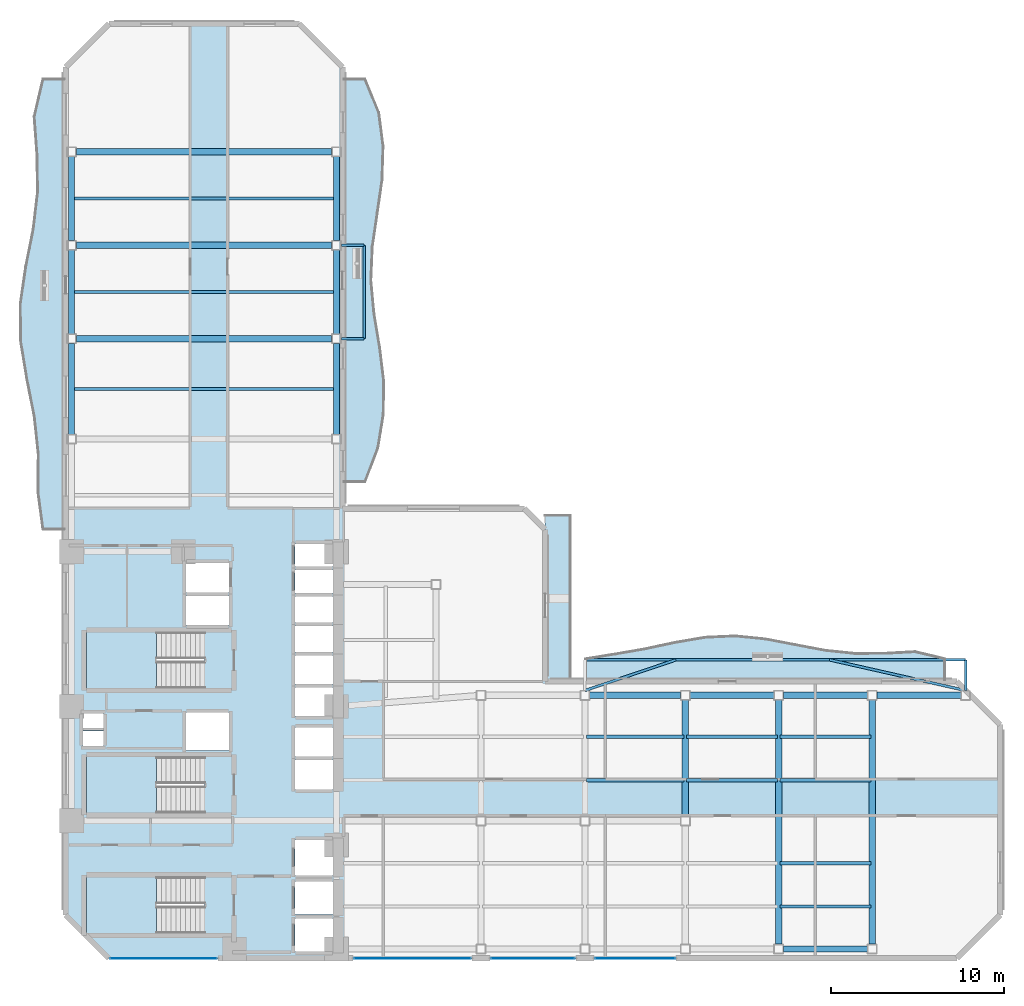
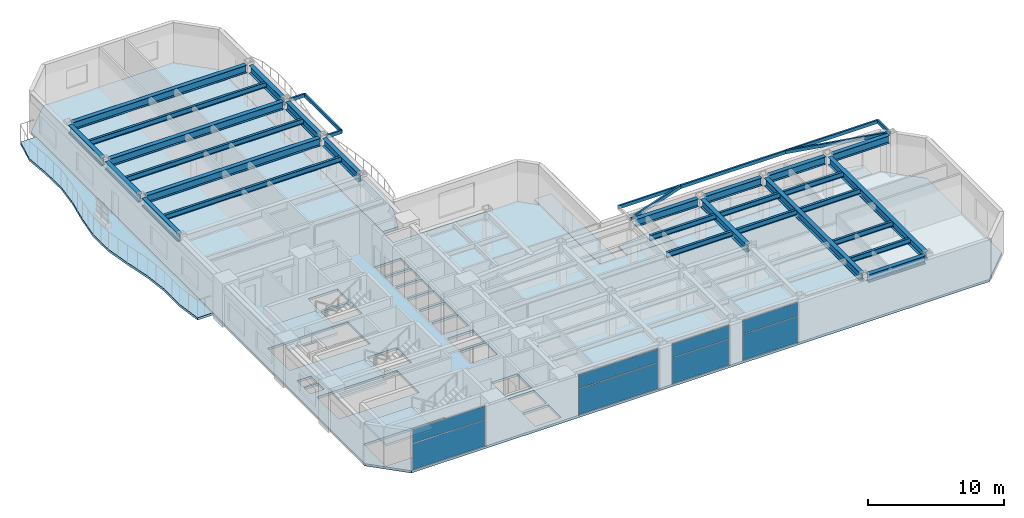
# One storey, part 8 of 17: 35 beams, 8 plates, 8 slabs, 7 elements without a shape of their own.
"""IFC4 building model written with IfcOpenShell, lengths in metres."""

from ifc_helpers import new_model, si_unit, direction, frame, origin, origin_2d, place, context, subcontext, project, spatial, polyline, rectangle, hollow_rectangle, i_section, outline, extrude, material, layer, layer_set, material_profile, profile_set, type_object, element, aggregate, save


model = new_model("IFC4")

# Units and contexts
model_context = context("Model", 3, precision=1e-05, world=origin(), true_north=direction((0.0, 1.0)))
body_context = subcontext(model_context, "Body", "Model", "MODEL_VIEW")
ifc_project = project(units=[si_unit("LENGTHUNIT", "METRE"), si_unit("AREAUNIT", "SQUARE_METRE"), si_unit("VOLUMEUNIT", "CUBIC_METRE"), si_unit("PLANEANGLEUNIT", "RADIAN"), si_unit("MASSUNIT", "GRAM", prefix="KILO")], contexts=[model_context])

# Site, building, storey
site_placement = place(None, origin())
site = spatial("IfcSite", under=ifc_project, at=site_placement, CompositionType="ELEMENT")
building_placement = place(site_placement, origin())
building = spatial("IfcBuilding", under=site, at=building_placement, Name="Mawjaban Terraces University", CompositionType="ELEMENT")
storey_placement = place(building_placement, frame((0.0, 0.0, 70.0)))
storey = spatial("IfcBuildingStorey", under=building, at=storey_placement, Name="L16", CompositionType="ELEMENT", Elevation=70.0)

# Beams
ifc_material_1 = material(Name="Steel EN 10210-1 S355J2H", Category="steel")
ifc_material_profile_1 = material_profile(ifc_material_1, hollow_rectangle(XDim=0.14990234375, YDim=0.300048828125, WallThickness=0.012451171875, at=origin_2d()), Name="RHS300X150X12.5")
ifc_profile_set_1 = profile_set([ifc_material_profile_1], Name="Steel EN 10210-1 S355J2H")
beam_type_1 = type_object("IfcBeamType", Name="BalconyCantileverSpandrel_RHS", PredefinedType="SPANDREL", material=ifc_profile_set_1)
beam_1_placement = place(storey_placement, frame((74.0, 15.47509765625, 3.5400390625), z_axis=(0.0, 1.0, 0.0), x_axis=(-1.0, 0.0, 0.0)))
element("IfcBeam", 1, at=beam_1_placement, inside=storey, type_object=beam_type_1, Name="L16 Exterior Outrigger BAL-L17-N.2", PredefinedType="SPANDREL", context=body_context, shape_type="SweptSolid", body=[
    extrude(hollow_rectangle(XDim=0.14990234375, YDim=0.300048828125, WallThickness=0.012451171875, at=origin_2d()), origin(), (0.0, 0.0, 1.0), 1.77490234375),
])
beam_2_placement = place(storey_placement, frame((52.0, 17.25, 3.5400390625), z_axis=(1.0, 0.0, 0.0), x_axis=(0.0, 1.0, 0.0)))
element("IfcBeam", 2, at=beam_2_placement, inside=storey, type_object=beam_type_1, Name="L16 Exterior Edge Spandrel BAL-L17-N", PredefinedType="SPANDREL", context=body_context, shape_type="SweptSolid", body=[
    extrude(hollow_rectangle(XDim=0.14990234375, YDim=0.300048828125, WallThickness=0.012451171875, at=origin_2d()), origin(), (0.0, 0.0, 1.0), 22.0),
])
beam_3_placement = place(storey_placement, frame((52.0, 15.47509765625, 3.5400390625), z_axis=(0.947511431793, 0.319721889493, 0.0), x_axis=(-0.319721889493, 0.947511431793, 0.0)))
element("IfcBeam", 3, at=beam_3_placement, inside=storey, type_object=beam_type_1, Name="L16 Exterior Diagonal Strut BAL-L17-N.1", PredefinedType="SPANDREL", context=body_context, shape_type="SweptSolid", body=[
    extrude(hollow_rectangle(XDim=0.14990234375, YDim=0.300048828125, WallThickness=0.012451171875, at=origin_2d()), origin(), (0.0, 0.0, 1.0), 5.551513671875),
])
beam_4_placement = place(storey_placement, frame((74.0, 15.47509765625, 3.5400390625), z_axis=(-0.97543995213, 0.220265521105, 0.0), x_axis=(-0.220265521105, -0.97543995213, 0.0)))
element("IfcBeam", 4, at=beam_4_placement, inside=storey, type_object=beam_type_1, Name="L16 Exterior Diagonal Strut BAL-L17-N.2", PredefinedType="SPANDREL", context=body_context, shape_type="SweptSolid", body=[
    extrude(hollow_rectangle(XDim=0.14990234375, YDim=0.300048828125, WallThickness=0.012451171875, at=origin_2d()), origin(), (0.0, 0.0, 1.0), 8.05810546875),
])
for number, where, z_axis, x_axis, name in (
    (5, (37.925048828125, 35.800048828125, 3.5400390625), (1.0, 0.0, 0.0), (0.0, 1.0, 0.0), "L16 Exterior Outrigger BAL-L17-E.1"),
    (6, (37.925048828125, 41.199951171875, 3.5400390625), (1.0, 0.0, 0.0), (0.0, 1.0, 0.0), "L16 Exterior Outrigger BAL-L17-E.2"),
):
    element("IfcBeam", number, at=place(storey_placement, frame(where, z_axis=z_axis, x_axis=x_axis)), inside=storey, type_object=beam_type_1, Name=name, PredefinedType="SPANDREL", context=body_context, shape_type="SweptSolid", body=[
        extrude(hollow_rectangle(XDim=0.14990234375, YDim=0.300048828125, WallThickness=0.012451171875, at=origin_2d()), origin(), (0.0, 0.0, 1.0), 1.324951171875),
    ])
beam_5_placement = place(storey_placement, frame((39.25, 35.800048828125, 3.5400390625), z_axis=(0.0, 1.0, 0.0), x_axis=(-1.0, 0.0, 0.0)))
element("IfcBeam", 7, at=beam_5_placement, inside=storey, type_object=beam_type_1, Name="L16 Exterior Edge Spandrel BAL-L17-E", PredefinedType="SPANDREL", context=body_context, shape_type="SweptSolid", body=[
    extrude(hollow_rectangle(XDim=0.14990234375, YDim=0.300048828125, WallThickness=0.012451171875, at=origin_2d()), origin(), (0.0, 0.0, 1.0), 5.39990234375),
])
ifc_material_2 = material(Name="Steel ASTM A572 Grade 50", Category="steel")
ifc_material_profile_2 = material_profile(ifc_material_2, i_section(OverallWidth=0.35498046875, OverallDepth=0.695068359375, WebThickness=0.015380859375, FlangeThickness=0.02490234375, at=origin_2d()), Name="W690X217")
ifc_profile_set_2 = profile_set([ifc_material_profile_2], Name="Steel ASTM A572 Grade 50")
beam_type_2 = type_object("IfcBeamType", Name="Beam_B_W690X217", PredefinedType="BEAM", material=ifc_profile_set_2)
beam_6_placement = place(storey_placement, frame((63.47509765625, 0.550048828125, 3.343017578125), z_axis=(1.0, 0.0, 0.0), x_axis=(0.0, 1.0, 0.0)))
element("IfcBeam", 8, at=beam_6_placement, inside=storey, type_object=beam_type_2, Name="L16 Beam BM-L16-EW-05", PredefinedType="BEAM", context=body_context, shape_type="SweptSolid", body=[
    extrude(i_section(OverallWidth=0.35498046875, OverallDepth=0.695068359375, WebThickness=0.015380859375, FlangeThickness=0.02490234375, at=origin_2d()), origin(), (0.0, 0.0, 1.0), 4.849853515625),
])
beam_7_placement = place(storey_placement, frame((52.27490234375, 15.199951171875, 3.343017578125), z_axis=(1.0, 0.0, 0.0), x_axis=(0.0, 1.0, 0.0)))
element("IfcBeam", 9, at=beam_7_placement, inside=storey, type_object=beam_type_2, Name="L16 Beam BM-L16-EW-10", PredefinedType="BEAM", context=body_context, shape_type="SweptSolid", body=[
    extrude(i_section(OverallWidth=0.35498046875, OverallDepth=0.695068359375, WebThickness=0.015380859375, FlangeThickness=0.02490234375, at=origin_2d()), origin(), (0.0, 0.0, 1.0), 5.25),
])
beam_8_placement = place(storey_placement, frame((58.074951171875, 15.199951171875, 3.343017578125), z_axis=(1.0, 0.0, 0.0), x_axis=(0.0, 1.0, 0.0)))
element("IfcBeam", 10, at=beam_8_placement, inside=storey, type_object=beam_type_2, Name="L16 Beam BM-L16-EW-11", PredefinedType="BEAM", context=body_context, shape_type="SweptSolid", body=[
    extrude(i_section(OverallWidth=0.35498046875, OverallDepth=0.695068359375, WebThickness=0.015380859375, FlangeThickness=0.02490234375, at=origin_2d()), origin(), (0.0, 0.0, 1.0), 4.85009765625),
])
beam_9_placement = place(storey_placement, frame((63.47509765625, 15.199951171875, 3.343017578125), z_axis=(1.0, 0.0, 0.0), x_axis=(0.0, 1.0, 0.0)))
element("IfcBeam", 11, at=beam_9_placement, inside=storey, type_object=beam_type_2, Name="L16 Beam BM-L16-EW-12", PredefinedType="BEAM", context=body_context, shape_type="SweptSolid", body=[
    extrude(i_section(OverallWidth=0.35498046875, OverallDepth=0.695068359375, WebThickness=0.015380859375, FlangeThickness=0.02490234375, at=origin_2d()), origin(), (0.0, 0.0, 1.0), 4.849853515625),
])
beam_10_placement = place(storey_placement, frame((68.875, 15.199951171875, 3.343017578125), z_axis=(1.0, 0.0, 0.0), x_axis=(0.0, 1.0, 0.0)))
element("IfcBeam", 12, at=beam_10_placement, inside=storey, type_object=beam_type_2, Name="L16 Beam BM-L16-EW-13", PredefinedType="BEAM", context=body_context, shape_type="SweptSolid", body=[
    extrude(i_section(OverallWidth=0.35498046875, OverallDepth=0.695068359375, WebThickness=0.015380859375, FlangeThickness=0.02490234375, at=origin_2d()), origin(), (0.0, 0.0, 1.0), 4.85009765625),
])
for number, where, z_axis, x_axis, name in (
    (13, (22.625, 35.800048828125, 3.343017578125), (1.0, 0.0, 0.0), (0.0, 1.0, 0.0), "L16 Beam BM-L16-EW-16"),
    (14, (22.625, 41.199951171875, 3.343017578125), (1.0, 0.0, 0.0), (0.0, 1.0, 0.0), "L16 Beam BM-L16-EW-17"),
    (15, (22.625, 46.60009765625, 3.343017578125), (1.0, 0.0, 0.0), (0.0, 1.0, 0.0), "L16 Beam BM-L16-EW-18"),
):
    element("IfcBeam", number, at=place(storey_placement, frame(where, z_axis=z_axis, x_axis=x_axis)), inside=storey, type_object=beam_type_2, Name=name, PredefinedType="BEAM", context=body_context, shape_type="SweptSolid", body=[
        extrude(i_section(OverallWidth=0.35498046875, OverallDepth=0.695068359375, WebThickness=0.015380859375, FlangeThickness=0.02490234375, at=origin_2d()), origin(), (0.0, 0.0, 1.0), 14.75),
    ])
beam_11_placement = place(storey_placement, frame((22.35009765625, 30.27490234375, 3.343017578125), z_axis=(0.0, 1.0, 0.0), x_axis=(-1.0, 0.0, 0.0)))
element("IfcBeam", 16, at=beam_11_placement, inside=storey, type_object=beam_type_2, Name="L16 Beam BM-L16-NS-04", PredefinedType="BEAM", context=body_context, shape_type="SweptSolid", body=[
    extrude(i_section(OverallWidth=0.35498046875, OverallDepth=0.695068359375, WebThickness=0.015380859375, FlangeThickness=0.02490234375, at=origin_2d()), origin(), (0.0, 0.0, 1.0), 5.25),
])
beam_12_placement = place(storey_placement, frame((22.35009765625, 36.074951171875, 3.343017578125), z_axis=(0.0, 1.0, 0.0), x_axis=(-1.0, 0.0, 0.0)))
element("IfcBeam", 17, at=beam_12_placement, inside=storey, type_object=beam_type_2, Name="L16 Beam BM-L16-NS-05", PredefinedType="BEAM", context=body_context, shape_type="SweptSolid", body=[
    extrude(i_section(OverallWidth=0.35498046875, OverallDepth=0.695068359375, WebThickness=0.015380859375, FlangeThickness=0.02490234375, at=origin_2d()), origin(), (0.0, 0.0, 1.0), 4.85009765625),
])
beam_13_placement = place(storey_placement, frame((22.35009765625, 41.47509765625, 3.343017578125), z_axis=(0.0, 1.0, 0.0), x_axis=(-1.0, 0.0, 0.0)))
element("IfcBeam", 18, at=beam_13_placement, inside=storey, type_object=beam_type_2, Name="L16 Beam BM-L16-NS-06", PredefinedType="BEAM", context=body_context, shape_type="SweptSolid", body=[
    extrude(i_section(OverallWidth=0.35498046875, OverallDepth=0.695068359375, WebThickness=0.015380859375, FlangeThickness=0.02490234375, at=origin_2d()), origin(), (0.0, 0.0, 1.0), 4.849853515625),
])
beam_14_placement = place(storey_placement, frame((37.64990234375, 30.27490234375, 3.343017578125), z_axis=(0.0, 1.0, 0.0), x_axis=(-1.0, 0.0, 0.0)))
element("IfcBeam", 19, at=beam_14_placement, inside=storey, type_object=beam_type_2, Name="L16 Beam BM-L16-NS-11", PredefinedType="BEAM", context=body_context, shape_type="SweptSolid", body=[
    extrude(i_section(OverallWidth=0.35498046875, OverallDepth=0.695068359375, WebThickness=0.015380859375, FlangeThickness=0.02490234375, at=origin_2d()), origin(), (0.0, 0.0, 1.0), 5.25),
])
beam_15_placement = place(storey_placement, frame((37.64990234375, 36.074951171875, 3.343017578125), z_axis=(0.0, 1.0, 0.0), x_axis=(-1.0, 0.0, 0.0)))
element("IfcBeam", 20, at=beam_15_placement, inside=storey, type_object=beam_type_2, Name="L16 Beam BM-L16-NS-12", PredefinedType="BEAM", context=body_context, shape_type="SweptSolid", body=[
    extrude(i_section(OverallWidth=0.35498046875, OverallDepth=0.695068359375, WebThickness=0.015380859375, FlangeThickness=0.02490234375, at=origin_2d()), origin(), (0.0, 0.0, 1.0), 4.85009765625),
])
beam_16_placement = place(storey_placement, frame((37.64990234375, 41.47509765625, 3.343017578125), z_axis=(0.0, 1.0, 0.0), x_axis=(-1.0, 0.0, 0.0)))
element("IfcBeam", 21, at=beam_16_placement, inside=storey, type_object=beam_type_2, Name="L16 Beam BM-L16-NS-13", PredefinedType="BEAM", context=body_context, shape_type="SweptSolid", body=[
    extrude(i_section(OverallWidth=0.35498046875, OverallDepth=0.695068359375, WebThickness=0.015380859375, FlangeThickness=0.02490234375, at=origin_2d()), origin(), (0.0, 0.0, 1.0), 4.849853515625),
])
beam_17_placement = place(storey_placement, frame((57.800048828125, 8.22509765625, 3.343017578125), z_axis=(0.0, 1.0, 0.0), x_axis=(-1.0, 0.0, 0.0)))
element("IfcBeam", 22, at=beam_17_placement, inside=storey, type_object=beam_type_2, Name="L16 Beam BM-L16-NS-19", PredefinedType="BEAM", context=body_context, shape_type="SweptSolid", body=[
    extrude(i_section(OverallWidth=0.35498046875, OverallDepth=0.695068359375, WebThickness=0.015380859375, FlangeThickness=0.02490234375, at=origin_2d()), origin(), (0.0, 0.0, 1.0), 6.699951171875),
])
for number, where, z_axis, x_axis, name in (
    (23, (63.199951171875, 0.824951171875, 3.343017578125), (0.0, 1.0, 0.0), (-1.0, 0.0, 0.0), "L16 Beam BM-L16-NS-20"),
    (24, (68.60009765625, 0.824951171875, 3.343017578125), (0.0, 1.0, 0.0), (-1.0, 0.0, 0.0), "L16 Beam BM-L16-NS-21"),
):
    element("IfcBeam", number, at=place(storey_placement, frame(where, z_axis=z_axis, x_axis=x_axis)), inside=storey, type_object=beam_type_2, Name=name, PredefinedType="BEAM", context=body_context, shape_type="SweptSolid", body=[
        extrude(i_section(OverallWidth=0.35498046875, OverallDepth=0.695068359375, WebThickness=0.015380859375, FlangeThickness=0.02490234375, at=origin_2d()), origin(), (0.0, 0.0, 1.0), 14.10009765625),
    ])
ifc_material_profile_3 = material_profile(ifc_material_2, i_section(OverallWidth=0.19189453125, OverallDepth=0.462890625, WebThickness=0.010498046875, FlangeThickness=0.017578125, at=origin_2d()), Name="W460X89")
ifc_profile_set_3 = profile_set([ifc_material_profile_3], Name="Steel ASTM A572 Grade 50")
beam_type_3 = type_object("IfcBeamType", Name="Beam_J_W460X89", PredefinedType="JOIST", material=ifc_profile_set_3)
for number, where, z_axis, x_axis, name in (
    (25, (63.280029296875, 3.0, 3.458984375), (1.0, 0.0, 0.0), (0.0, 1.0, 0.0), "L16 Composite Joist JST-L16-05"),
    (26, (63.280029296875, 5.5, 3.458984375), (1.0, 0.0, 0.0), (0.0, 1.0, 0.0), "L16 Composite Joist JST-L16-10"),
):
    element("IfcBeam", number, at=place(storey_placement, frame(where, z_axis=z_axis, x_axis=x_axis)), inside=storey, type_object=beam_type_3, Name=name, PredefinedType="JOIST", context=body_context, shape_type="SweptSolid", body=[
        extrude(i_section(OverallWidth=0.19189453125, OverallDepth=0.462890625, WebThickness=0.010498046875, FlangeThickness=0.017578125, at=origin_2d()), origin(), (0.0, 0.0, 1.0), 5.239990234375),
    ])
beam_18_placement = place(storey_placement, frame((52.080078125, 10.300048828125, 3.458984375), z_axis=(1.0, 0.0, 0.0), x_axis=(0.0, 1.0, 0.0)))
element("IfcBeam", 27, at=beam_18_placement, inside=storey, type_object=beam_type_3, Name="L16 Composite Joist JST-L16-13", PredefinedType="JOIST", context=body_context, shape_type="SweptSolid", body=[
    extrude(i_section(OverallWidth=0.19189453125, OverallDepth=0.462890625, WebThickness=0.010498046875, FlangeThickness=0.017578125, at=origin_2d()), origin(), (0.0, 0.0, 1.0), 5.639892578125),
])
beam_19_placement = place(storey_placement, frame((57.8798828125, 10.300048828125, 3.458984375), z_axis=(1.0, 0.0, 0.0), x_axis=(0.0, 1.0, 0.0)))
element("IfcBeam", 28, at=beam_19_placement, inside=storey, type_object=beam_type_3, Name="L16 Composite Joist JST-L16-14", PredefinedType="JOIST", context=body_context, shape_type="SweptSolid", body=[
    extrude(i_section(OverallWidth=0.19189453125, OverallDepth=0.462890625, WebThickness=0.010498046875, FlangeThickness=0.017578125, at=origin_2d()), origin(), (0.0, 0.0, 1.0), 5.240234375),
])
beam_20_placement = place(storey_placement, frame((63.280029296875, 10.300048828125, 3.458984375), z_axis=(1.0, 0.0, 0.0), x_axis=(0.0, 1.0, 0.0)))
element("IfcBeam", 29, at=beam_20_placement, inside=storey, type_object=beam_type_3, Name="L16 Composite Joist JST-L16-15", PredefinedType="JOIST", context=body_context, shape_type="SweptSolid", body=[
    extrude(i_section(OverallWidth=0.19189453125, OverallDepth=0.462890625, WebThickness=0.010498046875, FlangeThickness=0.017578125, at=origin_2d()), origin(), (0.0, 0.0, 1.0), 5.239990234375),
])
beam_21_placement = place(storey_placement, frame((52.080078125, 12.800048828125, 3.458984375), z_axis=(1.0, 0.0, 0.0), x_axis=(0.0, 1.0, 0.0)))
element("IfcBeam", 30, at=beam_21_placement, inside=storey, type_object=beam_type_3, Name="L16 Composite Joist JST-L16-18", PredefinedType="JOIST", context=body_context, shape_type="SweptSolid", body=[
    extrude(i_section(OverallWidth=0.19189453125, OverallDepth=0.462890625, WebThickness=0.010498046875, FlangeThickness=0.017578125, at=origin_2d()), origin(), (0.0, 0.0, 1.0), 5.639892578125),
])
beam_22_placement = place(storey_placement, frame((57.8798828125, 12.800048828125, 3.458984375), z_axis=(1.0, 0.0, 0.0), x_axis=(0.0, 1.0, 0.0)))
element("IfcBeam", 31, at=beam_22_placement, inside=storey, type_object=beam_type_3, Name="L16 Composite Joist JST-L16-19", PredefinedType="JOIST", context=body_context, shape_type="SweptSolid", body=[
    extrude(i_section(OverallWidth=0.19189453125, OverallDepth=0.462890625, WebThickness=0.010498046875, FlangeThickness=0.017578125, at=origin_2d()), origin(), (0.0, 0.0, 1.0), 5.240234375),
])
beam_23_placement = place(storey_placement, frame((63.280029296875, 12.800048828125, 3.458984375), z_axis=(1.0, 0.0, 0.0), x_axis=(0.0, 1.0, 0.0)))
element("IfcBeam", 32, at=beam_23_placement, inside=storey, type_object=beam_type_3, Name="L16 Composite Joist JST-L16-20", PredefinedType="JOIST", context=body_context, shape_type="SweptSolid", body=[
    extrude(i_section(OverallWidth=0.19189453125, OverallDepth=0.462890625, WebThickness=0.010498046875, FlangeThickness=0.017578125, at=origin_2d()), origin(), (0.0, 0.0, 1.0), 5.239990234375),
])
for number, where, z_axis, x_axis, name in (
    (33, (22.429931640625, 32.89990234375, 3.458984375), (1.0, 0.0, 0.0), (0.0, 1.0, 0.0), "L16 Composite Joist JST-L16-23"),
    (34, (22.429931640625, 38.5, 3.458984375), (1.0, 0.0, 0.0), (0.0, 1.0, 0.0), "L16 Composite Joist JST-L16-24"),
    (35, (22.429931640625, 43.89990234375, 3.458984375), (1.0, 0.0, 0.0), (0.0, 1.0, 0.0), "L16 Composite Joist JST-L16-25"),
):
    element("IfcBeam", number, at=place(storey_placement, frame(where, z_axis=z_axis, x_axis=x_axis)), inside=storey, type_object=beam_type_3, Name=name, PredefinedType="JOIST", context=body_context, shape_type="SweptSolid", body=[
        extrude(i_section(OverallWidth=0.19189453125, OverallDepth=0.462890625, WebThickness=0.010498046875, FlangeThickness=0.017578125, at=origin_2d()), origin(), (0.0, 0.0, 1.0), 15.14013671875),
    ])

# Slabs
ifc_material_3 = material(Name="Concrete C40/50", Category="concrete")
ifc_layer_1 = layer(ifc_material_3, 0.2099609375)
ifc_layer_set_1 = layer_set([ifc_layer_1], Name="Concrete C40/50")
slab_type_1 = type_object("IfcSlabType", Name="BalconySlab_210_Ext", PredefinedType="FLOOR", material=ifc_layer_set_1)
slab_1_placement = place(storey_placement, frame((0.0, 0.0, -0.2099609375)))
element("IfcSlab", 36, at=slab_1_placement, inside=storey, type_object=slab_type_1, Name="L16 Planted Balcony Slab west", PredefinedType="FLOOR", context=body_context, shape_type="SweptSolid", body=[
    extrude(outline(polyline([(22.010009765625, 24.800048828125), (22.010009765625, 50.800048828125), (20.699951171875, 50.800048828125), (20.195068359375, 48.633056640625), (20.35302734375, 46.467041015625), (20.39208984375, 44.300048828125), (20.137939453125, 42.133056640625), (19.7060546875, 39.967041015625), (19.388916015625, 37.800048828125), (19.41796875, 35.633056640625), (19.77294921875, 33.467041015625), (20.201904296875, 31.300048828125), (20.431884765625, 29.133056640625), (20.410888671875, 26.967041015625), (20.699951171875, 24.800048828125), (22.010009765625, 24.800048828125)])), origin(), (0.0, 0.0, 1.0), 0.2099609375),
])
slab_2_placement = place(storey_placement, frame((0.0, 0.0, -0.2099609375)))
element("IfcSlab", 37, at=slab_2_placement, inside=storey, type_object=slab_type_1, Name="L16 Planted Balcony Slab inner_north", PredefinedType="FLOOR", context=body_context, shape_type="SweptSolid", body=[
    extrude(outline(polyline([(52.050048828125, 15.989990234375), (72.800048828125, 15.989990234375), (72.800048828125, 17.300048828125), (71.071044921875, 17.70703125), (69.342041015625, 17.614990234375), (67.612060546875, 17.60595703125), (65.883056640625, 17.784912109375), (64.154052734375, 18.113037109375), (62.425048828125, 18.445068359375), (60.696044921875, 18.617919921875), (58.967041015625, 18.541015625), (57.237060546875, 18.2490234375), (55.508056640625, 17.8779296875), (53.779052734375, 17.580078125), (52.050048828125, 17.300048828125), (52.050048828125, 15.989990234375)])), origin(), (0.0, 0.0, 1.0), 0.2099609375),
])
slab_3_placement = place(storey_placement, frame((0.0, 0.0, -0.2099609375)))
element("IfcSlab", 38, at=slab_3_placement, inside=storey, type_object=slab_type_1, Name="L16 Planted Balcony Slab inner_east", PredefinedType="FLOOR", context=body_context, shape_type="SweptSolid", body=[
    extrude(outline(polyline([(39.300048828125, 27.5419921875), (40.04296875, 29.47998046875), (40.35888671875, 31.41796875), (40.386962890625, 33.35595703125), (40.14892578125, 35.294921875), (39.824951171875, 37.23291015625), (39.64306640625, 39.1708984375), (39.72509765625, 41.10888671875), (40.009033203125, 43.047119140625), (40.2880859375, 44.986083984375), (40.347900390625, 46.924072265625), (40.10009765625, 48.862060546875), (39.300048828125, 50.800048828125), (37.989990234375, 50.800048828125), (37.989990234375, 27.5419921875), (39.300048828125, 27.5419921875)])), origin(), (0.0, 0.0, 1.0), 0.2099609375),
])
ifc_layer_2 = layer(ifc_material_3, 0.2099609375)
ifc_layer_set_2 = layer_set([ifc_layer_2], Name="Concrete C40/50")
slab_type_2 = type_object("IfcSlabType", Name="CompositeSlab_210", PredefinedType="FLOOR", material=ifc_layer_set_2)
slab_4_placement = place(storey_placement, frame((0.0, 0.0, -0.2099609375)))
element("IfcSlab", 39, at=slab_4_placement, inside=storey, type_object=slab_type_2, Name="L16 Primary Structural Slab", PredefinedType="FLOOR", context=body_context, shape_type="SweptSolid", body=[
    extrude(outline(polyline([(24.5, 0.0), (73.5, 0.0), (76.0, 2.5), (76.0, 13.5), (73.5, 16.0), (49.699951171875, 16.0), (49.699951171875, 24.7900390625), (48.5, 25.989990234375), (38.0, 25.989990234375), (38.0, 51.5), (35.5, 54.0), (24.5, 54.0), (22.0, 51.5), (22.0, 2.5), (24.5, 0.0)]), holes=[polyline([(30.014892578125, 4.699951171875), (23.199951171875, 4.699951171875), (23.199951171875, 1.449951171875), (30.014892578125, 1.449951171875), (30.014892578125, 4.699951171875)]), polyline([(30.014892578125, 18.85009765625), (23.199951171875, 18.85009765625), (23.199951171875, 15.60009765625), (30.014892578125, 15.60009765625), (30.014892578125, 18.85009765625)]), polyline([(30.014892578125, 11.64990234375), (23.199951171875, 11.64990234375), (23.199951171875, 8.39990234375), (30.014892578125, 8.39990234375), (30.014892578125, 11.64990234375)]), polyline([(35.25, 0.39990234375), (37.449951171875, 0.39990234375), (37.449951171875, 2.300048828125), (35.25, 2.300048828125), (35.25, 0.39990234375)]), polyline([(35.25, 2.550048828125), (37.449951171875, 2.550048828125), (37.449951171875, 4.449951171875), (35.25, 4.449951171875), (35.25, 2.550048828125)]), polyline([(35.25, 4.800048828125), (37.449951171875, 4.800048828125), (37.449951171875, 6.85009765625), (35.25, 6.85009765625), (35.25, 4.800048828125)]), polyline([(35.25, 9.75), (37.449951171875, 9.75), (37.449951171875, 11.449951171875), (35.25, 11.449951171875), (35.25, 9.75)]), polyline([(35.25, 11.64990234375), (37.449951171875, 11.64990234375), (37.449951171875, 13.35009765625), (35.25, 13.35009765625), (35.25, 11.64990234375)]), polyline([(28.949951171875, 12.0), (31.449951171875, 12.0), (31.449951171875, 14.199951171875), (28.949951171875, 14.199951171875), (28.949951171875, 12.0)]), polyline([(35.25, 14.0), (37.449951171875, 14.0), (37.449951171875, 15.64990234375), (35.25, 15.64990234375), (35.25, 14.0)]), polyline([(35.25, 15.85009765625), (37.449951171875, 15.85009765625), (37.449951171875, 17.5), (35.25, 17.5), (35.25, 15.85009765625)]), polyline([(35.25, 17.699951171875), (37.449951171875, 17.699951171875), (37.449951171875, 19.199951171875), (35.25, 19.199951171875), (35.25, 17.699951171875)]), polyline([(35.25, 19.39990234375), (37.449951171875, 19.39990234375), (37.449951171875, 20.89990234375), (35.25, 20.89990234375), (35.25, 19.39990234375)]), polyline([(28.949951171875, 19.25), (31.449951171875, 19.25), (31.449951171875, 20.949951171875), (28.949951171875, 20.949951171875), (28.949951171875, 19.25)]), polyline([(35.25, 21.10009765625), (37.449951171875, 21.10009765625), (37.449951171875, 22.449951171875), (35.25, 22.449951171875), (35.25, 21.10009765625)]), polyline([(35.25, 22.64990234375), (37.449951171875, 22.64990234375), (37.449951171875, 23.949951171875), (35.25, 23.949951171875), (35.25, 22.64990234375)]), polyline([(28.949951171875, 21.14990234375), (31.449951171875, 21.14990234375), (31.449951171875, 22.85009765625), (28.949951171875, 22.85009765625), (28.949951171875, 21.14990234375)]), polyline([(23.0, 12.25), (24.199951171875, 12.25), (24.199951171875, 13.14990234375), (23.0, 13.14990234375), (23.0, 12.25)]), polyline([(23.0, 13.300048828125), (24.199951171875, 13.300048828125), (24.199951171875, 14.179931640625), (23.0, 14.179931640625), (23.0, 13.300048828125)])]), origin(), (0.0, 0.0, 1.0), 0.2099609375),
])

# Stair, slab
stair_type = type_object("IfcStairType", Name="Stair_Core1550_H39", PredefinedType="HALF_TURN_STAIR", material=ifc_material_3)
stair_1_placement = place(storey_placement, origin())
stair_1 = element("IfcStair", 40, at=stair_1_placement, inside=storey, type_object=stair_type, Name="L16 Core Exit Stair 1", PredefinedType="HALF_TURN_STAIR")
ifc_layer_3 = layer(ifc_material_3, 0.199951171875)
ifc_layer_set_3 = layer_set([ifc_layer_3], Name="Concrete C40/50")
slab_type_3 = type_object("IfcSlabType", Name="StairLandingSlab_200", PredefinedType="LANDING", material=ifc_layer_set_3)
slab_5_placement = place(storey_placement, frame((0.0, 0.0, 1.75)))
slab_5 = element("IfcSlab", 41, at=slab_5_placement, type_object=slab_type_3, Name="ST-1 landing 1", PredefinedType="LANDING", context=body_context, shape_type="SweptSolid", body=[
    extrude(outline(polyline([(27.25, 4.699951171875), (23.199951171875, 4.699951171875), (23.199951171875, 1.449951171875), (27.25, 1.449951171875), (27.25, 4.699951171875)])), origin(), (0.0, 0.0, 1.0), 0.199951171875),
])
aggregate(stair_1, [slab_5])

stair_2_placement = place(storey_placement, origin())
stair_2 = element("IfcStair", 42, at=stair_2_placement, inside=storey, type_object=stair_type, Name="L16 Core Exit Stair 2", PredefinedType="HALF_TURN_STAIR")
slab_6_placement = place(storey_placement, frame((0.0, 0.0, 1.75)))
slab_6 = element("IfcSlab", 43, at=slab_6_placement, type_object=slab_type_3, Name="ST-2 landing 1", PredefinedType="LANDING", context=body_context, shape_type="SweptSolid", body=[
    extrude(outline(polyline([(27.25, 18.85009765625), (23.199951171875, 18.85009765625), (23.199951171875, 15.60009765625), (27.25, 15.60009765625), (27.25, 18.85009765625)])), origin(), (0.0, 0.0, 1.0), 0.199951171875),
])
aggregate(stair_2, [slab_6])

stair_3_placement = place(storey_placement, origin())
stair_3 = element("IfcStair", 44, at=stair_3_placement, inside=storey, type_object=stair_type, Name="L16 Core Exit Stair 3", PredefinedType="HALF_TURN_STAIR")
slab_7_placement = place(storey_placement, frame((0.0, 0.0, 1.75)))
slab_7 = element("IfcSlab", 45, at=slab_7_placement, type_object=slab_type_3, Name="ST-3 landing 1", PredefinedType="LANDING", context=body_context, shape_type="SweptSolid", body=[
    extrude(outline(polyline([(27.25, 11.64990234375), (23.199951171875, 11.64990234375), (23.199951171875, 8.39990234375), (27.25, 8.39990234375), (27.25, 11.64990234375)])), origin(), (0.0, 0.0, 1.0), 0.199951171875),
])
aggregate(stair_3, [slab_7])

# Slab
ifc_layer_4 = layer(ifc_material_3, 0.2099609375)
ifc_layer_set_4 = layer_set([ifc_layer_4], Name="Concrete C40/50")
slab_type_4 = type_object("IfcSlabType", Name="StudyTerraceSlab_210_Ext", PredefinedType="FLOOR", material=ifc_layer_set_4)
slab_8_placement = place(storey_placement, frame((0.0, 0.0, -0.2099609375)))
element("IfcSlab", 46, at=slab_8_placement, inside=storey, type_object=slab_type_4, Name="L16 Exterior Study Terrace Slab", PredefinedType="FLOOR", context=body_context, shape_type="SweptSolid", body=[
    extrude(outline(polyline([(49.699951171875, 16.0), (51.14990234375, 16.0), (51.14990234375, 25.590087890625), (49.699951171875, 25.590087890625), (49.699951171875, 16.0)])), origin(), (0.0, 0.0, 1.0), 0.2099609375),
])

# Curtain wall, plates
ifc_material_4 = material(Name="Anodised aluminium 6063-T6 and solar-control low-E glass", Category="aluminium")
ifc_layer_5 = layer(ifc_material_4, 0.1650390625)
ifc_layer_set_5 = layer_set([ifc_layer_5], Name="Anodised aluminium 6063-T6 and solar-control low-E glass")
curtain_wall_type = type_object("IfcCurtainWallType", Name="CWSystem_04_EastWing", PredefinedType="NOTDEFINED", material=ifc_layer_set_5)
curtain_wall_1_placement = place(storey_placement, origin())
curtain_wall_1 = element("IfcCurtainWall", 47, at=curtain_wall_1_placement, inside=storey, type_object=curtain_wall_type, Name="L16 Curtain Wall CW-04 Run 1.1", PredefinedType="NOTDEFINED")
ifc_material_5 = material(Name="Low-E solar-control double glazing", Category="glass")
ifc_layer_6 = layer(ifc_material_5, 0.028076171875)
ifc_layer_set_6 = layer_set([ifc_layer_6], Name="Low-E solar-control double glazing")
plate_type = type_object("IfcPlateType", Name="VisionPanel_CW-04", PredefinedType="CURTAIN_PANEL", material=ifc_layer_set_6)
plate_1_placement = place(storey_placement, frame((27.64990234375, 0.0, 0.06005859375), z_axis=(0.0, 0.0, 1.0), x_axis=(1.0, 0.0, 0.0)))
plate_1 = element("IfcPlate", 48, at=plate_1_placement, type_object=plate_type, Name="CW-04 panel 1.1", PredefinedType="CURTAIN_PANEL", context=body_context, shape_type="SweptSolid", body=[
    extrude(rectangle(XDim=6.169921875, YDim=0.028076171875, at=origin_2d()), origin(), (0.0, 0.0, 1.0), 2.30810546875),
])
plate_2_placement = place(storey_placement, frame((27.64990234375, 0.0, 2.42822265625), z_axis=(0.0, 0.0, 1.0), x_axis=(1.0, 0.0, 0.0)))
plate_2 = element("IfcPlate", 49, at=plate_2_placement, type_object=plate_type, Name="CW-04 panel 1.2", PredefinedType="CURTAIN_PANEL", context=body_context, shape_type="SweptSolid", body=[
    extrude(rectangle(XDim=6.169921875, YDim=0.028076171875, at=origin_2d()), origin(), (0.0, 0.0, 1.0), 1.201904296875),
])
aggregate(curtain_wall_1, [plate_1, plate_2])

curtain_wall_2_placement = place(storey_placement, origin())
curtain_wall_2 = element("IfcCurtainWall", 50, at=curtain_wall_2_placement, inside=storey, type_object=curtain_wall_type, Name="L16 Curtain Wall CW-04 Run 1.2", PredefinedType="NOTDEFINED")
plate_3_placement = place(storey_placement, frame((42.03759765625, 0.0, 0.06005859375), z_axis=(0.0, 0.0, 1.0), x_axis=(1.0, 0.0, 0.0)))
plate_3 = element("IfcPlate", 51, at=plate_3_placement, type_object=plate_type, Name="CW-04 panel 1.1", PredefinedType="CURTAIN_PANEL", context=body_context, shape_type="SweptSolid", body=[
    extrude(rectangle(XDim=6.7451171875, YDim=0.028076171875, at=origin_2d()), origin(), (0.0, 0.0, 1.0), 2.30810546875),
])
plate_4_placement = place(storey_placement, frame((42.03759765625, 0.0, 2.42822265625), z_axis=(0.0, 0.0, 1.0), x_axis=(1.0, 0.0, 0.0)))
plate_4 = element("IfcPlate", 52, at=plate_4_placement, type_object=plate_type, Name="CW-04 panel 1.2", PredefinedType="CURTAIN_PANEL", context=body_context, shape_type="SweptSolid", body=[
    extrude(rectangle(XDim=6.7451171875, YDim=0.028076171875, at=origin_2d()), origin(), (0.0, 0.0, 1.0), 1.201904296875),
])
aggregate(curtain_wall_2, [plate_3, plate_4])

curtain_wall_3_placement = place(storey_placement, origin())
curtain_wall_3 = element("IfcCurtainWall", 53, at=curtain_wall_3_placement, inside=storey, type_object=curtain_wall_type, Name="L16 Curtain Wall CW-04 Run 1.3", PredefinedType="NOTDEFINED")
plate_5_placement = place(storey_placement, frame((49.0, 0.0, 0.06005859375), z_axis=(0.0, 0.0, 1.0), x_axis=(1.0, 0.0, 0.0)))
plate_5 = element("IfcPlate", 54, at=plate_5_placement, type_object=plate_type, Name="CW-04 panel 1.1", PredefinedType="CURTAIN_PANEL", context=body_context, shape_type="SweptSolid", body=[
    extrude(rectangle(XDim=4.820068359375, YDim=0.028076171875, at=origin_2d()), origin(), (0.0, 0.0, 1.0), 2.30810546875),
])
plate_6_placement = place(storey_placement, frame((49.0, 0.0, 2.42822265625), z_axis=(0.0, 0.0, 1.0), x_axis=(1.0, 0.0, 0.0)))
plate_6 = element("IfcPlate", 55, at=plate_6_placement, type_object=plate_type, Name="CW-04 panel 1.2", PredefinedType="CURTAIN_PANEL", context=body_context, shape_type="SweptSolid", body=[
    extrude(rectangle(XDim=4.820068359375, YDim=0.028076171875, at=origin_2d()), origin(), (0.0, 0.0, 1.0), 1.201904296875),
])
aggregate(curtain_wall_3, [plate_5, plate_6])

curtain_wall_4_placement = place(storey_placement, origin())
curtain_wall_4 = element("IfcCurtainWall", 56, at=curtain_wall_4_placement, inside=storey, type_object=curtain_wall_type, Name="L16 Curtain Wall CW-04 Run 1.4", PredefinedType="NOTDEFINED")
plate_7_placement = place(storey_placement, frame((54.89990234375, 0.0, 0.06005859375), z_axis=(0.0, 0.0, 1.0), x_axis=(1.0, 0.0, 0.0)))
plate_7 = element("IfcPlate", 57, at=plate_7_placement, type_object=plate_type, Name="CW-04 panel 1.1", PredefinedType="CURTAIN_PANEL", context=body_context, shape_type="SweptSolid", body=[
    extrude(rectangle(XDim=4.6201171875, YDim=0.028076171875, at=origin_2d()), origin(), (0.0, 0.0, 1.0), 2.30810546875),
])
plate_8_placement = place(storey_placement, frame((54.89990234375, 0.0, 2.42822265625), z_axis=(0.0, 0.0, 1.0), x_axis=(1.0, 0.0, 0.0)))
plate_8 = element("IfcPlate", 58, at=plate_8_placement, type_object=plate_type, Name="CW-04 panel 1.2", PredefinedType="CURTAIN_PANEL", context=body_context, shape_type="SweptSolid", body=[
    extrude(rectangle(XDim=4.6201171875, YDim=0.028076171875, at=origin_2d()), origin(), (0.0, 0.0, 1.0), 1.201904296875),
])
aggregate(curtain_wall_4, [plate_7, plate_8])

save(model, "model.ifc")
